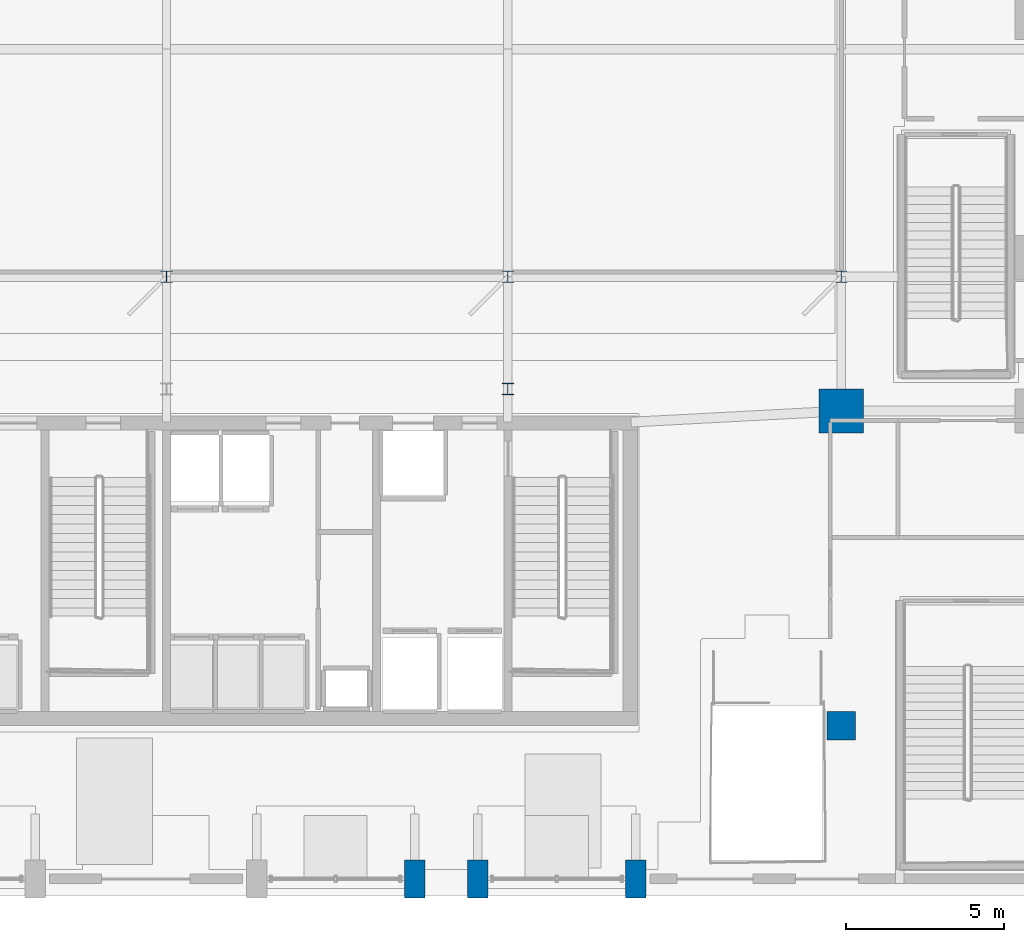
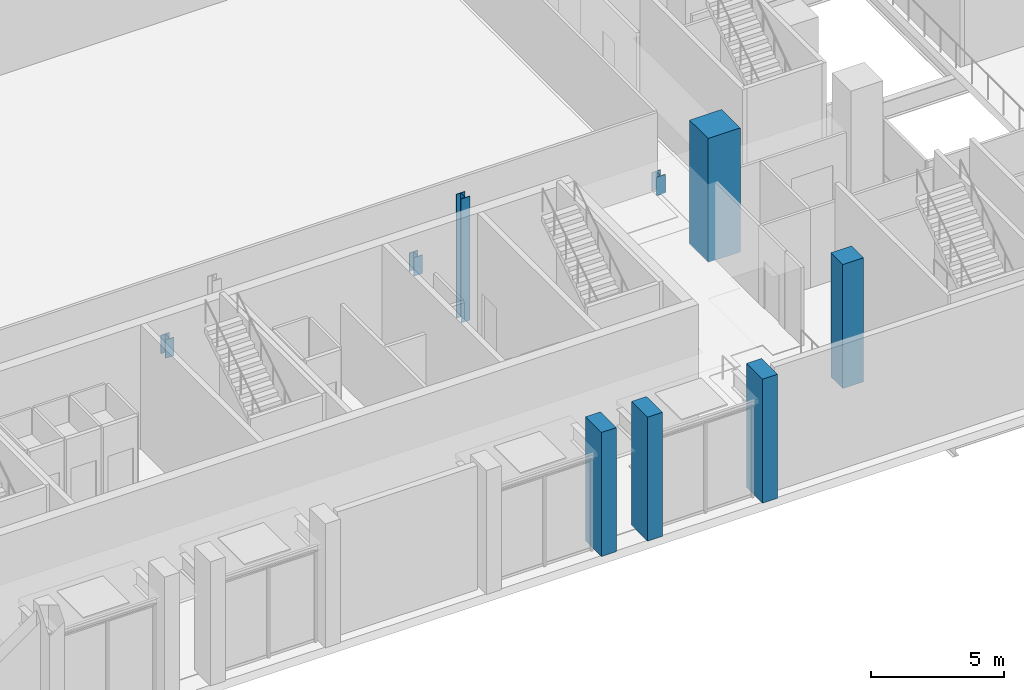
# One storey, part 2 of 36: 9 columns.
"""IFC4 building model written with IfcOpenShell, lengths in metres."""

from ifc_helpers import new_model, si_unit, direction, frame, origin, origin_2d, place, context, subcontext, project, spatial, rectangle, i_section, extrude, material, material_profile, profile_set, type_object, element, save


model = new_model("IFC4")

# Units and contexts
model_context = context("Model", 3, precision=1e-05, world=origin(), true_north=direction((0.0, 1.0)))
body_context = subcontext(model_context, "Body", "Model", "MODEL_VIEW")
ifc_project = project(units=[si_unit("LENGTHUNIT", "METRE"), si_unit("AREAUNIT", "SQUARE_METRE"), si_unit("VOLUMEUNIT", "CUBIC_METRE"), si_unit("PLANEANGLEUNIT", "RADIAN"), si_unit("MASSUNIT", "GRAM", prefix="KILO")], contexts=[model_context])

# Site, building, storey
site_placement = place(None, origin())
site = spatial("IfcSite", under=ifc_project, at=site_placement, CompositionType="ELEMENT")
building_placement = place(site_placement, origin())
building = spatial("IfcBuilding", under=site, at=building_placement, Name="Ndaravel Arena Tower", CompositionType="ELEMENT")
storey_placement = place(building_placement, origin())
storey = spatial("IfcBuildingStorey", under=building, at=storey_placement, Name="L00", CompositionType="ELEMENT", Elevation=0.0)

# Columns
ifc_material_1 = material(Name="Concrete C40/50", Category="concrete")
ifc_material_profile_1 = material_profile(ifc_material_1, rectangle(XDim=0.89990234375, YDim=0.89990234375, at=origin_2d()), Name="RC 900x900")
ifc_profile_set_1 = profile_set([ifc_material_profile_1], Name="Concrete C40/50")
column_type_1 = type_object("IfcColumnType", Name="COL-BSMT-RC900", PredefinedType="COLUMN", material=ifc_profile_set_1)
column_1_placement = place(storey_placement, frame((64.0, 5.39990234375, 0.0), z_axis=(0.0, 0.0, 1.0), x_axis=(1.0, 0.0, 0.0)))
element("IfcColumn", 1, at=column_1_placement, inside=storey, type_object=column_type_1, Name="L00 South Concourse Column 02", PredefinedType="COLUMN", context=body_context, shape_type="SweptSolid", body=[
    extrude(rectangle(XDim=0.89990234375, YDim=0.89990234375, at=origin_2d()), origin(), (0.0, 0.0, 1.0), 5.699951171875),
])
ifc_material_2 = material(Name="Steel S355", Category="steel")
ifc_material_profile_2 = material_profile(ifc_material_2, i_section(OverallWidth=0.374755859375, OverallDepth=0.37451171875, WebThickness=0.0166015625, FlangeThickness=0.027099609375, FilletRadius=0.01513671875, at=origin_2d()), Name="UC 356x368x202")
ifc_profile_set_2 = profile_set([ifc_material_profile_2], Name="Steel S355")
column_type_2 = type_object("IfcColumnType", Name="COL-CRN-UC202", PredefinedType="COLUMN", material=ifc_profile_set_2)
for number, where, z_axis, x_axis, name in (
    (2, (42.64990234375, 19.60009765625, 0.0), (0.0, 0.0, 1.0), (1.0, 0.0, 0.0), "L00 South Stand Raker Plinth Post 3"),
    (3, (53.449951171875, 19.60009765625, 0.0), (0.0, 0.0, 1.0), (1.0, 0.0, 0.0), "L00 South Stand Raker Plinth Post 4"),
):
    element("IfcColumn", number, at=place(storey_placement, frame(where, z_axis=z_axis, x_axis=x_axis)), inside=storey, type_object=column_type_2, Name=name, PredefinedType="COLUMN", context=body_context, shape_type="SweptSolid", body=[
        extrude(i_section(OverallWidth=0.374755859375, OverallDepth=0.37451171875, WebThickness=0.0166015625, FlangeThickness=0.027099609375, FilletRadius=0.01513671875, at=origin_2d()), origin(), (0.0, 0.0, 1.0), 0.85009765625),
    ])
column_2_placement = place(storey_placement, frame((53.449951171875, 16.050048828125, 0.0), z_axis=(0.0, 0.0, 1.0), x_axis=(1.0, 0.0, 0.0)))
element("IfcColumn", 4, at=column_2_placement, inside=storey, type_object=column_type_2, Name="L00 South Stand Raker Column 4", PredefinedType="COLUMN", context=body_context, shape_type="SweptSolid", body=[
    extrude(i_section(OverallWidth=0.374755859375, OverallDepth=0.37451171875, WebThickness=0.0166015625, FlangeThickness=0.027099609375, FilletRadius=0.01513671875, at=origin_2d()), origin(), (0.0, 0.0, 1.0), 5.699951171875),
])
column_3_placement = place(storey_placement, frame((64.0, 19.60009765625, 0.0), z_axis=(0.0, 0.0, 1.0), x_axis=(1.0, 0.0, 0.0)))
element("IfcColumn", 5, at=column_3_placement, inside=storey, type_object=column_type_2, Name="L00 South Stand Raker Plinth Post 5", PredefinedType="COLUMN", context=body_context, shape_type="SweptSolid", body=[
    extrude(i_section(OverallWidth=0.374755859375, OverallDepth=0.37451171875, WebThickness=0.0166015625, FlangeThickness=0.027099609375, FilletRadius=0.01513671875, at=origin_2d()), origin(), (0.0, 0.0, 1.0), 0.85009765625),
])
ifc_material_3 = material(Name="Concrete C60/75", Category="concrete")
ifc_material_profile_3 = material_profile(ifc_material_3, rectangle(XDim=1.39990234375, YDim=1.39990234375, at=origin_2d()), Name="RC 1400x1400")
ifc_profile_set_3 = profile_set([ifc_material_profile_3], Name="Concrete C60/75")
column_type_3 = type_object("IfcColumnType", Name="COL-MEGA-RC1400", PredefinedType="COLUMN", material=ifc_profile_set_3)
column_4_placement = place(storey_placement, frame((64.0, 15.35009765625, 0.0), z_axis=(0.0, 0.0, 1.0), x_axis=(1.0, 0.0, 0.0)))
element("IfcColumn", 6, at=column_4_placement, inside=storey, type_object=column_type_3, Name="L00 Arena Ring Mega Column 12", PredefinedType="COLUMN", context=body_context, shape_type="SweptSolid", body=[
    extrude(rectangle(XDim=1.39990234375, YDim=1.39990234375, at=origin_2d()), origin(), (0.0, 0.0, 1.0), 5.699951171875),
])
ifc_material_4 = material(Name="Concrete C40/50", Category="concrete")
ifc_material_profile_4 = material_profile(ifc_material_4, rectangle(XDim=0.64990234375, YDim=1.199951171875, at=origin_2d()), Name="RC 650x1200")
ifc_profile_set_4 = profile_set([ifc_material_profile_4], Name="Concrete C40/50")
column_type_4 = type_object("IfcColumnType", Name="COL-PIL-RC650", PredefinedType="PILASTER", material=ifc_profile_set_4)
for number, where, z_axis, x_axis, name in (
    (7, (50.5, 0.550048828125, 0.0), (0.0, 0.0, 1.0), (1.0, 0.0, 0.0), "L00 South Foyer Pilaster 06"),
    (8, (52.5, 0.550048828125, 0.0), (0.0, 0.0, 1.0), (1.0, 0.0, 0.0), "L00 South Foyer Pilaster 07"),
    (9, (57.5, 0.550048828125, 0.0), (0.0, 0.0, 1.0), (1.0, 0.0, 0.0), "L00 South Foyer Pilaster 08"),
):
    element("IfcColumn", number, at=place(storey_placement, frame(where, z_axis=z_axis, x_axis=x_axis)), inside=storey, type_object=column_type_4, Name=name, PredefinedType="PILASTER", context=body_context, shape_type="SweptSolid", body=[
        extrude(rectangle(XDim=0.64990234375, YDim=1.199951171875, at=origin_2d()), origin(), (0.0, 0.0, 1.0), 5.699951171875),
    ])

save(model, "model.ifc")
